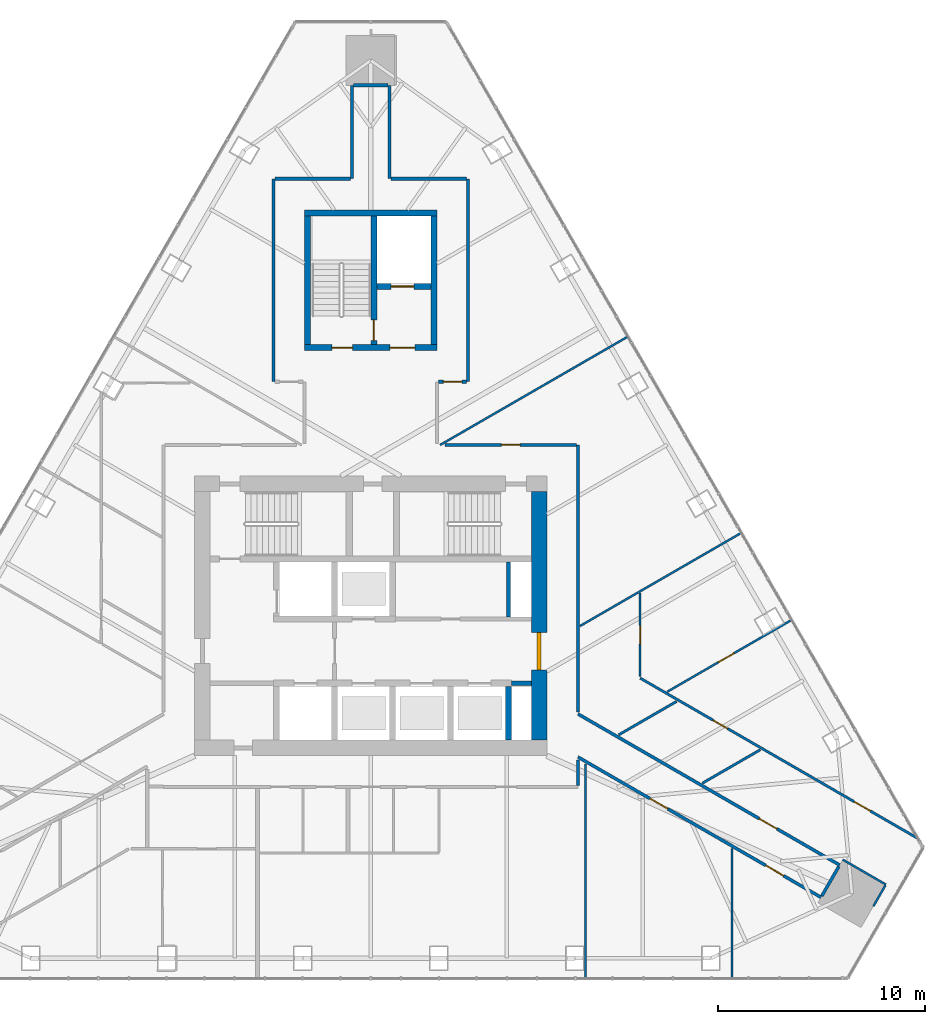
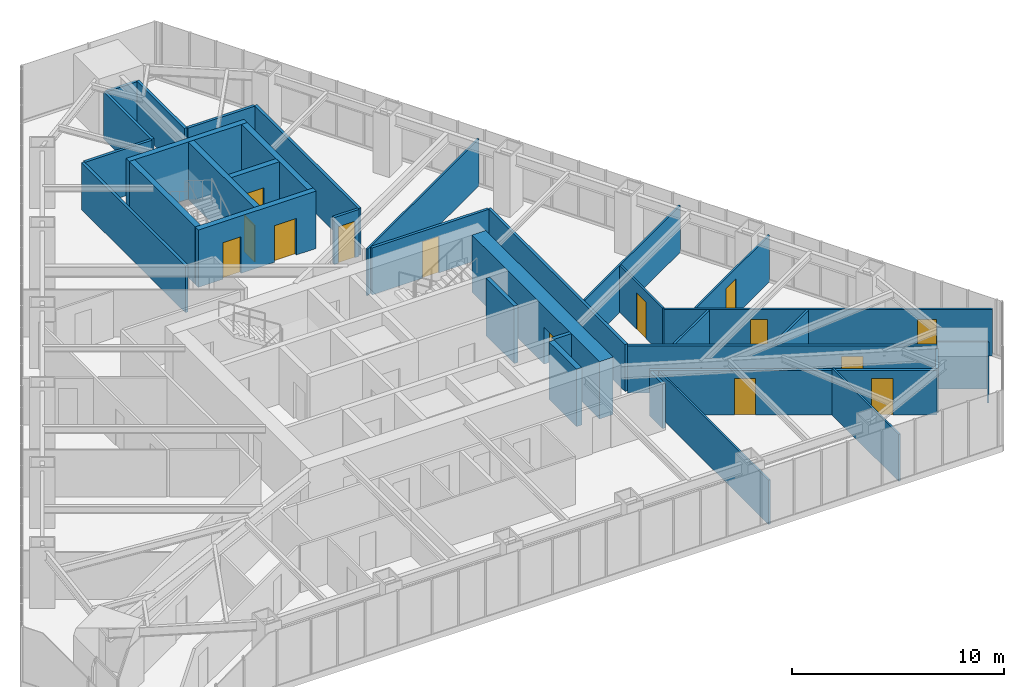
# One storey, part 18 of 21: 35 walls, 14 doors, 14 openings.
"""IFC4 building model written with IfcOpenShell, lengths in metres."""

from ifc_helpers import new_model, si_unit, direction, frame, frame_2d, origin, place, context, subcontext, project, spatial, rectangle, extrude, material, layer, layer_set, type_object, element, fill, save


model = new_model("IFC4")

# Units and contexts
model_context = context("Model", 3, precision=1e-05, world=origin(), true_north=direction((0.0, 1.0)))
body_context = subcontext(model_context, "Body", "Model", "MODEL_VIEW")
ifc_project = project(units=[si_unit("LENGTHUNIT", "METRE"), si_unit("AREAUNIT", "SQUARE_METRE"), si_unit("VOLUMEUNIT", "CUBIC_METRE"), si_unit("PLANEANGLEUNIT", "RADIAN"), si_unit("MASSUNIT", "GRAM", prefix="KILO")], contexts=[model_context])

# Site, building, storey
site_placement = place(None, origin())
site = spatial("IfcSite", under=ifc_project, at=site_placement, CompositionType="ELEMENT")
building_placement = place(site_placement, origin())
building = spatial("IfcBuilding", under=site, at=building_placement, Name="Firuza Gate Tower and Library", CompositionType="ELEMENT")
storey_placement = place(building_placement, frame((0.0, 0.0, 274.10009765625)))
storey = spatial("IfcBuildingStorey", under=building, at=storey_placement, Name="L65", CompositionType="ELEMENT", Elevation=274.10009765625)

# Walls
ifc_material_1 = material(Name="Plasterboard on steel studs", Category="steel")
ifc_layer_1 = layer(ifc_material_1, 0.199951171875)
ifc_layer_set_1 = layer_set([ifc_layer_1], Name="Core partition 200 EI 120")
wall_type_1 = type_object("IfcWallType", Name="Core partition 200 EI 120", PredefinedType="PARTITIONING", material=ifc_layer_set_1)
wall_1_placement = place(storey_placement, frame((81.800048828125, 71.75, 0.0), z_axis=(0.0, 0.0, 1.0), x_axis=(1.0, 0.0, 0.0)))
element("IfcWall", 1, at=wall_1_placement, inside=storey, type_object=wall_type_1, Name="Core partition L65 2", PredefinedType="PARTITIONING", context=body_context, shape_type="SweptSolid", body=[
    extrude(rectangle(XDim=0.949951171875, YDim=0.199951171875, at=frame_2d((0.47509765625, 0.0))), origin(), (0.0, 0.0, 1.0), 3.2998046875),
])
wall_2_placement = place(storey_placement, frame((81.64990234375, 74.949951171875, 0.0), z_axis=(0.0, 0.0, 1.0), x_axis=(0.0, 1.0, 0.0)))
element("IfcWall", 2, at=wall_2_placement, inside=storey, type_object=wall_type_1, Name="Core partition L65 5", PredefinedType="PARTITIONING", context=body_context, shape_type="SweptSolid", body=[
    extrude(rectangle(XDim=2.650146484375, YDim=0.199951171875, at=frame_2d((1.3251953125, 0.0))), origin(), (0.0, 0.0, 1.0), 3.2998046875),
])
ifc_material_2 = material(Name="Concrete C60/75", Category="concrete")
ifc_layer_2 = layer(ifc_material_2, 0.300048828125)
ifc_layer_set_2 = layer_set([ifc_layer_2], Name="Core wall 300 C60/75")
wall_type_2 = type_object("IfcWallType", Name="Core wall 300 C60/75", PredefinedType="SHEAR", material=ifc_layer_set_2)
wall_3_placement = place(storey_placement, frame((81.64990234375, 69.0, 0.0), z_axis=(0.0, 0.0, 1.0), x_axis=(0.0, 1.0, 0.0)))
element("IfcWall", 3, at=wall_3_placement, inside=storey, type_object=wall_type_2, Name="Core wall L65 14", PredefinedType="SHEAR", context=body_context, shape_type="SweptSolid", body=[
    extrude(rectangle(XDim=2.60009765625, YDim=0.300048828125, at=frame_2d((1.300048828125, 0.0))), origin(), (0.0, 0.0, 1.0), 3.2998046875),
])

# Wall, openings, doors
wall_4_placement = place(storey_placement, frame((71.800048828125, 87.949951171875, 0.0), z_axis=(0.0, 0.0, 1.0), x_axis=(1.0, 0.0, 0.0)))
wall_4 = element("IfcWall", 4, at=wall_4_placement, inside=storey, type_object=wall_type_2, Name="Core wall L65 18", PredefinedType="SHEAR", context=body_context, shape_type="SweptSolid", body=[
    extrude(rectangle(XDim=6.39990234375, YDim=0.300048828125, at=frame_2d((3.199951171875, 0.0))), origin(), (0.0, 0.0, 1.0), 3.2998046875),
])
opening_1_placement = place(wall_4_placement, frame((1.324951171875, 0.0, 0.0)))
opening_1 = element("IfcOpeningElement", 5, at=opening_1_placement, cuts=wall_4, Name="Opening L65-K11", PredefinedType="OPENING", context=body_context, shape_type="SweptSolid", body=[
    extrude(rectangle(XDim=1.0, YDim=2.10009765625, at=frame_2d((0.5, 1.050048828125))), frame((0.0, 0.16015625, 0.0), z_axis=(0.0, -1.0, 0.0), x_axis=(1.0, 0.0, 0.0)), (0.0, 0.0, 1.0), 0.320068359375),
])
opening_2_placement = place(wall_4_placement, frame((4.125, 0.0, 0.0)))
opening_2 = element("IfcOpeningElement", 6, at=opening_2_placement, cuts=wall_4, Name="Opening L65-K13", PredefinedType="OPENING", context=body_context, shape_type="SweptSolid", body=[
    extrude(rectangle(XDim=1.199951171875, YDim=2.10009765625, at=frame_2d((0.60009765625, 1.050048828125))), frame((0.0, 0.16015625, 0.0), z_axis=(0.0, -1.0, 0.0), x_axis=(1.0, 0.0, 0.0)), (0.0, 0.0, 1.0), 0.320068359375),
])
ifc_material_3 = material(Name="Steel", Category="steel")
door_type_1 = type_object("IfcDoorType", Name="Fire door 1000x2100 FD90", OperationType="NOTDEFINED", PredefinedType="DOOR", material=ifc_material_3)
door_1_placement = place(opening_1_placement, origin())
door_1 = element("IfcDoor", 7, at=door_1_placement, inside=storey, type_object=door_type_1, Name="Door L65-K11", OperationType="SINGLE_SWING_RIGHT", OverallHeight=2.10009765625, OverallWidth=1.0, PredefinedType="DOOR", context=body_context, shape_type="SweptSolid", body=[
    extrude(rectangle(XDim=1.0, YDim=2.10009765625, at=frame_2d((0.5, 1.050048828125))), frame((0.0, 0.02490234375, 0.0), z_axis=(0.0, -1.0, 0.0), x_axis=(1.0, 0.0, 0.0)), (0.0, 0.0, 1.0), 0.050048828125),
])
fill(opening_1, door_1)
ifc_material_4 = material(Name="Steel", Category="steel")
door_type_2 = type_object("IfcDoorType", Name="Fire door 1200x2100 FD30S", OperationType="NOTDEFINED", PredefinedType="DOOR", material=ifc_material_4)
door_2_placement = place(opening_2_placement, origin())
door_2 = element("IfcDoor", 8, at=door_2_placement, inside=storey, type_object=door_type_2, Name="Door L65-K13", OperationType="SINGLE_SWING_RIGHT", OverallHeight=2.10009765625, OverallWidth=1.199951171875, PredefinedType="DOOR", context=body_context, shape_type="SweptSolid", body=[
    extrude(rectangle(XDim=1.199951171875, YDim=2.10009765625, at=frame_2d((0.60009765625, 1.050048828125))), frame((0.0, 0.02490234375, 0.0), z_axis=(0.0, -1.0, 0.0), x_axis=(1.0, 0.0, 0.0)), (0.0, 0.0, 1.0), 0.050048828125),
])
fill(opening_2, door_2)

# Walls
wall_5_placement = place(storey_placement, frame((71.800048828125, 94.449951171875, 0.0), z_axis=(0.0, 0.0, 1.0), x_axis=(1.0, 0.0, 0.0)))
element("IfcWall", 9, at=wall_5_placement, inside=storey, type_object=wall_type_2, Name="Core wall L65 19", PredefinedType="SHEAR", context=body_context, shape_type="SweptSolid", body=[
    extrude(rectangle(XDim=6.39990234375, YDim=0.300048828125, at=frame_2d((3.199951171875, 0.0))), origin(), (0.0, 0.0, 1.0), 3.2998046875),
])
for number, where, z_axis, x_axis, name in (
    (10, (71.949951171875, 88.10009765625, 0.0), (0.0, 0.0, 1.0), (0.0, 1.0, 0.0), "Core wall L65 20"),
    (11, (78.050048828125, 88.10009765625, 0.0), (0.0, 0.0, 1.0), (0.0, 1.0, 0.0), "Core wall L65 21"),
):
    element("IfcWall", number, at=place(storey_placement, frame(where, z_axis=z_axis, x_axis=x_axis)), inside=storey, type_object=wall_type_2, Name=name, PredefinedType="SHEAR", context=body_context, shape_type="SweptSolid", body=[
        extrude(rectangle(XDim=6.199951171875, YDim=0.300048828125, at=frame_2d((3.10009765625, 0.0))), origin(), (0.0, 0.0, 1.0), 3.2998046875),
    ])

# Wall, opening, door
wall_6_placement = place(storey_placement, frame((75.300048828125, 90.89990234375, 0.0), z_axis=(0.0, 0.0, 1.0), x_axis=(1.0, 0.0, 0.0)))
wall_6 = element("IfcWall", 12, at=wall_6_placement, inside=storey, type_object=wall_type_2, Name="Core wall L65 22", PredefinedType="SHEAR", context=body_context, shape_type="SweptSolid", body=[
    extrude(rectangle(XDim=2.599853515625, YDim=0.300048828125, at=frame_2d((1.2998046875, 0.0))), origin(), (0.0, 0.0, 1.0), 3.2998046875),
])
opening_3_placement = place(wall_6_placement, frame((0.675048828125, 0.0, 0.0)))
opening_3 = element("IfcOpeningElement", 13, at=opening_3_placement, cuts=wall_6, Name="Opening LD-SV1-L65", PredefinedType="OPENING", context=body_context, shape_type="SweptSolid", body=[
    extrude(rectangle(XDim=1.10009765625, YDim=2.10009765625, at=frame_2d((0.550048828125, 1.050048828125))), frame((0.0, 0.16015625, 0.0), z_axis=(0.0, -1.0, 0.0), x_axis=(1.0, 0.0, 0.0)), (0.0, 0.0, 1.0), 0.320068359375),
])
ifc_material_5 = material(Name="Stainless steel", Category="steel")
door_type_3 = type_object("IfcDoorType", Name="Lift landing door 1100x2100", OperationType="DOUBLE_DOOR_SLIDING", PredefinedType="DOOR", material=ifc_material_5)
door_3_placement = place(opening_3_placement, origin())
door_3 = element("IfcDoor", 14, at=door_3_placement, inside=storey, type_object=door_type_3, Name="Landing door SV1 L65", OperationType="DOUBLE_DOOR_SLIDING", OverallHeight=2.10009765625, OverallWidth=1.10009765625, PredefinedType="DOOR", context=body_context, shape_type="SweptSolid", body=[
    extrude(rectangle(XDim=1.10009765625, YDim=2.10009765625, at=frame_2d((0.550048828125, 1.050048828125))), frame((0.0, 0.02490234375, 0.0), z_axis=(0.0, -1.0, 0.0), x_axis=(1.0, 0.0, 0.0)), (0.0, 0.0, 1.0), 0.050048828125),
])
fill(opening_3, door_3)

wall_7_placement = place(storey_placement, frame((75.14990234375, 88.10009765625, 0.0), z_axis=(0.0, 0.0, 1.0), x_axis=(0.0, 1.0, 0.0)))
wall_7 = element("IfcWall", 15, at=wall_7_placement, inside=storey, type_object=wall_type_2, Name="Core wall L65 23", PredefinedType="SHEAR", context=body_context, shape_type="SweptSolid", body=[
    extrude(rectangle(XDim=6.199951171875, YDim=0.300048828125, at=frame_2d((3.10009765625, 0.0))), origin(), (0.0, 0.0, 1.0), 3.2998046875),
])
opening_4_placement = place(wall_7_placement, frame((0.18505859375, 0.0, 0.0)))
opening_4 = element("IfcOpeningElement", 16, at=opening_4_placement, cuts=wall_7, Name="Opening L65-K12", PredefinedType="OPENING", context=body_context, shape_type="SweptSolid", body=[
    extrude(rectangle(XDim=1.0, YDim=2.10009765625, at=frame_2d((0.5, 1.050048828125))), frame((0.0, 0.16015625, 0.0), z_axis=(0.0, -1.0, 0.0), x_axis=(1.0, 0.0, 0.0)), (0.0, 0.0, 1.0), 0.320068359375),
])
door_4_placement = place(opening_4_placement, origin())
door_4 = element("IfcDoor", 17, at=door_4_placement, inside=storey, type_object=door_type_1, Name="Door L65-K12", OperationType="SINGLE_SWING_LEFT", OverallHeight=2.10009765625, OverallWidth=1.0, PredefinedType="DOOR", context=body_context, shape_type="SweptSolid", body=[
    extrude(rectangle(XDim=1.0, YDim=2.10009765625, at=frame_2d((0.5, 1.050048828125))), frame((0.0, 0.02490234375, 0.0), z_axis=(0.0, -1.0, 0.0), x_axis=(1.0, 0.0, 0.0)), (0.0, 0.0, 1.0), 0.050048828125),
])
fill(opening_4, door_4)

ifc_material_6 = material(Name="Concrete C60/75", Category="concrete")
ifc_layer_3 = layer(ifc_material_6, 0.75)
ifc_layer_set_3 = layer_set([ifc_layer_3], Name="Core wall 750 C60/75")
wall_type_3 = type_object("IfcWallType", Name="Core wall 750 C60/75", PredefinedType="SHEAR", material=ifc_layer_set_3)
wall_8_placement = place(storey_placement, frame((83.125, 69.0, 0.0), z_axis=(0.0, 0.0, 1.0), x_axis=(0.0, 1.0, 0.0)))
wall_8 = element("IfcWall", 18, at=wall_8_placement, inside=storey, type_object=wall_type_3, Name="Core wall L65 4", PredefinedType="SHEAR", context=body_context, shape_type="SweptSolid", body=[
    extrude(rectangle(XDim=12.0, YDim=0.75, at=frame_2d((6.0, 0.0))), origin(), (0.0, 0.0, 1.0), 3.2998046875),
])
opening_5_placement = place(wall_8_placement, frame((3.39990234375, 0.0, 0.0)))
opening_5 = element("IfcOpeningElement", 19, at=opening_5_placement, cuts=wall_8, Name="Opening L65-K16", PredefinedType="OPENING", context=body_context, shape_type="SweptSolid", body=[
    extrude(rectangle(XDim=1.800048828125, YDim=2.10009765625, at=frame_2d((0.89990234375, 1.050048828125))), frame((0.0, 0.385009765625, 0.0), z_axis=(0.0, -1.0, 0.0), x_axis=(1.0, 0.0, 0.0)), (0.0, 0.0, 1.0), 0.77001953125),
])
ifc_material_7 = material(Name="Steel", Category="steel")
door_type_4 = type_object("IfcDoorType", Name="Fire door 1800x2100 FD30S", OperationType="NOTDEFINED", PredefinedType="DOOR", material=ifc_material_7)
door_5_placement = place(opening_5_placement, origin())
door_5 = element("IfcDoor", 20, at=door_5_placement, inside=storey, type_object=door_type_4, Name="Door L65-K16", OperationType="SINGLE_SWING_LEFT", OverallHeight=2.10009765625, OverallWidth=1.800048828125, PredefinedType="DOOR", context=body_context, shape_type="SweptSolid", body=[
    extrude(rectangle(XDim=1.800048828125, YDim=2.10009765625, at=frame_2d((0.89990234375, 1.050048828125))), frame((0.0, 0.094970703125, 0.0), z_axis=(0.0, -1.0, 0.0), x_axis=(1.0, 0.0, 0.0)), (0.0, 0.0, 1.0), 0.18994140625),
])
fill(opening_5, door_5)

ifc_material_8 = material(Name="Gypsum board partition")
ifc_layer_4 = layer(ifc_material_8, 0.14990234375)
ifc_layer_set_4 = layer_set([ifc_layer_4], Name="Corridor wall 150 double board on steel studs")
wall_type_4 = type_object("IfcWallType", Name="Corridor wall 150 double board on steel studs", PredefinedType="PARTITIONING", material=ifc_layer_set_4)
wall_9_placement = place(storey_placement, frame((84.924560546875, 83.25, 0.0), z_axis=(0.0, 0.0, 1.0), x_axis=(-1.0, 0.0, 0.0)))
wall_9 = element("IfcWall", 21, at=wall_9_placement, inside=storey, type_object=wall_type_4, Name="f:L65:w007", PredefinedType="PARTITIONING", context=body_context, shape_type="SweptSolid", body=[
    extrude(rectangle(XDim=6.344482421875, YDim=0.14990234375, at=frame_2d((3.17236328125, 0.0))), origin(), (0.0, 0.0, 1.0), 2.699951171875),
])
opening_6_placement = place(wall_9_placement, frame((2.72216796875, 0.0, 0.0)))
opening_6 = element("IfcOpeningElement", 22, at=opening_6_placement, cuts=wall_9, Name="Opening L65-08", PredefinedType="OPENING", context=body_context, shape_type="SweptSolid", body=[
    extrude(rectangle(XDim=0.89990234375, YDim=2.10009765625, at=frame_2d((0.449951171875, 1.050048828125))), frame((0.0, 0.0849609375, 0.0), z_axis=(0.0, -1.0, 0.0), x_axis=(1.0, 0.0, 0.0)), (0.0, 0.0, 1.0), 0.169921875),
])
ifc_material_9 = material(Name="Steel door and timber leaf", Category="steel")
door_type_5 = type_object("IfcDoorType", Name="Fire door 900 x 2100 steel frame, timber leaf", OperationType="NOTDEFINED", PredefinedType="DOOR", material=ifc_material_9)
door_6_placement = place(opening_6_placement, origin())
door_6 = element("IfcDoor", 23, at=door_6_placement, inside=storey, type_object=door_type_5, Name="f:L65:d008", OperationType="SINGLE_SWING_LEFT", OverallHeight=2.10009765625, OverallWidth=0.89990234375, PredefinedType="DOOR", context=body_context, shape_type="SweptSolid", body=[
    extrude(rectangle(XDim=0.89990234375, YDim=2.10009765625, at=frame_2d((0.449951171875, 1.050048828125))), frame((0.0, 0.02490234375, 0.0), z_axis=(0.0, -1.0, 0.0), x_axis=(1.0, 0.0, 0.0)), (0.0, 0.0, 1.0), 0.050048828125),
])
fill(opening_6, door_6)

wall_10_placement = place(storey_placement, frame((78.275146484375, 86.300048828125, 0.0), z_axis=(0.0, 0.0, 1.0), x_axis=(1.0, 0.0, 0.0)))
wall_10 = element("IfcWall", 24, at=wall_10_placement, inside=storey, type_object=wall_type_4, Name="f:L65:w010", PredefinedType="PARTITIONING", context=body_context, shape_type="SweptSolid", body=[
    extrude(rectangle(XDim=1.347900390625, YDim=0.14990234375, at=frame_2d((0.673828125, 0.0))), origin(), (0.0, 0.0, 1.0), 2.699951171875),
])
opening_7_placement = place(wall_10_placement, frame((0.223876953125, 0.0, 0.0)))
opening_7 = element("IfcOpeningElement", 25, at=opening_7_placement, cuts=wall_10, Name="Opening L65-11", PredefinedType="OPENING", context=body_context, shape_type="SweptSolid", body=[
    extrude(rectangle(XDim=0.89990234375, YDim=2.10009765625, at=frame_2d((0.449951171875, 1.050048828125))), frame((0.0, 0.0849609375, 0.0), z_axis=(0.0, -1.0, 0.0), x_axis=(1.0, 0.0, 0.0)), (0.0, 0.0, 1.0), 0.169921875),
])
door_7_placement = place(opening_7_placement, origin())
door_7 = element("IfcDoor", 26, at=door_7_placement, inside=storey, type_object=door_type_5, Name="f:L65:d011", OperationType="SINGLE_SWING_LEFT", OverallHeight=2.10009765625, OverallWidth=0.89990234375, PredefinedType="DOOR", context=body_context, shape_type="SweptSolid", body=[
    extrude(rectangle(XDim=0.89990234375, YDim=2.10009765625, at=frame_2d((0.449951171875, 1.050048828125))), frame((0.0, 0.02490234375, 0.0), z_axis=(0.0, -1.0, 0.0), x_axis=(1.0, 0.0, 0.0)), (0.0, 0.0, 1.0), 0.050048828125),
])
fill(opening_7, door_7)

# Walls
for number, where, z_axis, x_axis, name in (
    (27, (70.376953125, 96.10009765625, 0.0), (0.0, 0.0, 1.0), (1.0, 0.0, 0.0), "f:L65:w011"),
    (28, (75.97509765625, 96.10009765625, 0.0), (0.0, 0.0, 1.0), (1.0, 0.0, 0.0), "f:L65:w012"),
):
    element("IfcWall", number, at=place(storey_placement, frame(where, z_axis=z_axis, x_axis=x_axis)), inside=storey, type_object=wall_type_4, Name=name, PredefinedType="PARTITIONING", context=body_context, shape_type="SweptSolid", body=[
        extrude(rectangle(XDim=3.64794921875, YDim=0.14990234375, at=frame_2d((1.823974609375, 0.0))), origin(), (0.0, 0.0, 1.0), 2.699951171875),
    ])
wall_11_placement = place(storey_placement, frame((74.175537109375, 100.612060546875, 0.0), z_axis=(0.0, 0.0, 1.0), x_axis=(1.0, 0.0, 0.0)))
element("IfcWall", 29, at=wall_11_placement, inside=storey, type_object=wall_type_4, Name="f:L65:w013", PredefinedType="PARTITIONING", context=body_context, shape_type="SweptSolid", body=[
    extrude(rectangle(XDim=1.642578125, YDim=0.14990234375, at=frame_2d((0.8212890625, 0.0))), origin(), (0.0, 0.0, 1.0), 2.697021484375),
])
wall_12_placement = place(storey_placement, frame((96.7685546875, 61.47998046875, 0.0), z_axis=(0.0, 0.0, 1.0), x_axis=(0.500035172766, 0.866005095826, 0.0)))
element("IfcWall", 30, at=wall_12_placement, inside=storey, type_object=wall_type_4, Name="f:L65:w026", PredefinedType="PARTITIONING", context=body_context, shape_type="SweptSolid", body=[
    extrude(rectangle(XDim=1.64453125, YDim=0.14990234375, at=frame_2d((0.822265625, 0.0))), origin(), (0.0, 0.0, 1.0), 2.546875),
])
wall_13_placement = place(storey_placement, frame((85.0, 66.825439453125, 0.0), z_axis=(0.0, 0.0, 1.0), x_axis=(0.0, 1.0, 0.0)))
element("IfcWall", 31, at=wall_13_placement, inside=storey, type_object=wall_type_4, Name="f:L65:w031", PredefinedType="PARTITIONING", context=body_context, shape_type="SweptSolid", body=[
    extrude(rectangle(XDim=1.22509765625, YDim=0.14990234375, at=frame_2d((0.612548828125, 0.0))), origin(), (0.0, 0.0, 1.0), 2.546875),
])
wall_14_placement = place(storey_placement, frame((85.0, 70.352294921875, 0.0), z_axis=(0.0, 0.0, 1.0), x_axis=(0.0, 1.0, 0.0)))
element("IfcWall", 32, at=wall_14_placement, inside=storey, type_object=wall_type_4, Name="f:L65:w032", PredefinedType="PARTITIONING", context=body_context, shape_type="SweptSolid", body=[
    extrude(rectangle(XDim=12.897216796875, YDim=0.14990234375, at=frame_2d((6.44873046875, 0.0))), origin(), (0.0, 0.0, 1.0), 2.699951171875),
])
wall_15_placement = place(storey_placement, frame((79.699951171875, 86.302001953125, 0.0), z_axis=(0.0, 0.0, 1.0), x_axis=(0.0, 1.0, 0.0)))
element("IfcWall", 33, at=wall_15_placement, inside=storey, type_object=wall_type_4, Name="f:L65:w033", PredefinedType="PARTITIONING", context=body_context, shape_type="SweptSolid", body=[
    extrude(rectangle(XDim=9.7958984375, YDim=0.14990234375, at=frame_2d((4.89794921875, 0.0))), origin(), (0.0, 0.0, 1.0), 2.699951171875),
])
wall_16_placement = place(storey_placement, frame((75.89990234375, 96.10009765625, 0.0), z_axis=(0.0, 0.0, 1.0), x_axis=(0.0, 1.0, 0.0)))
element("IfcWall", 34, at=wall_16_placement, inside=storey, type_object=wall_type_4, Name="f:L65:w038", PredefinedType="PARTITIONING", context=body_context, shape_type="SweptSolid", body=[
    extrude(rectangle(XDim=4.51171875, YDim=0.14990234375, at=frame_2d((2.255859375, 0.0))), origin(), (0.0, 0.0, 1.0), 2.699951171875),
])
wall_17_placement = place(storey_placement, frame((74.10009765625, 96.10009765625, 0.0), z_axis=(0.0, 0.0, 1.0), x_axis=(0.0, 1.0, 0.0)))
element("IfcWall", 35, at=wall_17_placement, inside=storey, type_object=wall_type_4, Name="f:L65:w040", PredefinedType="PARTITIONING", context=body_context, shape_type="SweptSolid", body=[
    extrude(rectangle(XDim=4.51123046875, YDim=0.14990234375, at=frame_2d((2.255615234375, 0.0))), origin(), (0.0, 0.0, 1.0), 2.699951171875),
])
wall_18_placement = place(storey_placement, frame((70.300048828125, 86.302001953125, 0.0), z_axis=(0.0, 0.0, 1.0), x_axis=(0.0, 1.0, 0.0)))
element("IfcWall", 36, at=wall_18_placement, inside=storey, type_object=wall_type_4, Name="f:L65:w044", PredefinedType="PARTITIONING", context=body_context, shape_type="SweptSolid", body=[
    extrude(rectangle(XDim=9.7958984375, YDim=0.14990234375, at=frame_2d((4.89794921875, 0.0))), origin(), (0.0, 0.0, 1.0), 2.699951171875),
])

# Wall, opening, door
wall_19_placement = place(storey_placement, frame((85.0, 70.265869140625, 0.0), z_axis=(0.0, 0.0, 1.0), x_axis=(0.866026970734, -0.499997285954, 0.0)))
wall_19 = element("IfcWall", 37, at=wall_19_placement, inside=storey, type_object=wall_type_4, Name="f:L65:w058", PredefinedType="PARTITIONING", context=body_context, shape_type="SweptSolid", body=[
    extrude(rectangle(XDim=14.58447265625, YDim=0.14990234375, at=frame_2d((7.292236328125, 0.0))), origin(), (0.0, 0.0, 1.0), 2.699951171875),
])
opening_8_placement = place(wall_19_placement, frame((10.09423828125, 0.0, 0.0)))
opening_8 = element("IfcOpeningElement", 38, at=opening_8_placement, cuts=wall_19, Name="Opening L65-24", PredefinedType="OPENING", context=body_context, shape_type="SweptSolid", body=[
    extrude(rectangle(XDim=1.0, YDim=2.10009765625, at=frame_2d((0.5, 1.050048828125))), frame((0.0, 0.0849609375, 0.0), z_axis=(0.0, -1.0, 0.0), x_axis=(1.0, 0.0, 0.0)), (0.0, 0.0, 1.0), 0.169921875),
])
ifc_material_10 = material(Name="Steel door and timber leaf", Category="steel")
door_type_6 = type_object("IfcDoorType", Name="Fire door 1000 x 2100 steel frame, timber leaf", OperationType="NOTDEFINED", PredefinedType="DOOR", material=ifc_material_10)
door_8_placement = place(opening_8_placement, origin())
door_8 = element("IfcDoor", 39, at=door_8_placement, inside=storey, type_object=door_type_6, Name="f:L65:d024", OperationType="SINGLE_SWING_LEFT", OverallHeight=2.10009765625, OverallWidth=1.0, PredefinedType="DOOR", context=body_context, shape_type="SweptSolid", body=[
    extrude(rectangle(XDim=1.0, YDim=2.10009765625, at=frame_2d((0.5, 1.050048828125))), frame((0.0, 0.02490234375, 0.0), z_axis=(0.0, -1.0, 0.0), x_axis=(1.0, 0.0, 0.0)), (0.0, 0.0, 1.0), 0.050048828125),
])
fill(opening_8, door_8)

# Wall, openings, doors
wall_20_placement = place(storey_placement, frame((96.730224609375, 61.4150390625, 0.0), z_axis=(0.0, 0.0, 1.0), x_axis=(-0.866032805753, 0.499987179195, 0.0)))
wall_20 = element("IfcWall", 40, at=wall_20_placement, inside=storey, type_object=wall_type_4, Name="f:L65:w059", PredefinedType="PARTITIONING", context=body_context, shape_type="SweptSolid", body=[
    extrude(rectangle(XDim=13.544677734375, YDim=0.14990234375, at=frame_2d((6.7724609375, 0.0))), origin(), (0.0, 0.0, 1.0), 2.546875),
])
opening_9_placement = place(wall_20_placement, frame((2.078369140625, 0.0, 0.0)))
opening_9 = element("IfcOpeningElement", 41, at=opening_9_placement, cuts=wall_20, Name="Opening L65-25", PredefinedType="OPENING", context=body_context, shape_type="SweptSolid", body=[
    extrude(rectangle(XDim=1.0, YDim=2.10009765625, at=frame_2d((0.5, 1.050048828125))), frame((0.0, 0.0849609375, 0.0), z_axis=(0.0, -1.0, 0.0), x_axis=(1.0, 0.0, 0.0)), (0.0, 0.0, 1.0), 0.169921875),
])
opening_10_placement = place(wall_20_placement, frame((8.540283203125, 0.0, 0.0)))
opening_10 = element("IfcOpeningElement", 42, at=opening_10_placement, cuts=wall_20, Name="Opening L65-26", PredefinedType="OPENING", context=body_context, shape_type="SweptSolid", body=[
    extrude(rectangle(XDim=1.0, YDim=2.10009765625, at=frame_2d((0.5, 1.050048828125))), frame((0.0, 0.0849609375, 0.0), z_axis=(0.0, -1.0, 0.0), x_axis=(1.0, 0.0, 0.0)), (0.0, 0.0, 1.0), 0.169921875),
])
door_9_placement = place(opening_9_placement, origin())
door_9 = element("IfcDoor", 43, at=door_9_placement, inside=storey, type_object=door_type_6, Name="f:L65:d025", OperationType="SINGLE_SWING_RIGHT", OverallHeight=2.10009765625, OverallWidth=1.0, PredefinedType="DOOR", context=body_context, shape_type="SweptSolid", body=[
    extrude(rectangle(XDim=1.0, YDim=2.10009765625, at=frame_2d((0.5, 1.050048828125))), frame((0.0, 0.02490234375, 0.0), z_axis=(0.0, -1.0, 0.0), x_axis=(1.0, 0.0, 0.0)), (0.0, 0.0, 1.0), 0.050048828125),
])
fill(opening_9, door_9)
door_10_placement = place(opening_10_placement, origin())
door_10 = element("IfcDoor", 44, at=door_10_placement, inside=storey, type_object=door_type_6, Name="f:L65:d026", OperationType="SINGLE_SWING_LEFT", OverallHeight=2.10009765625, OverallWidth=1.0, PredefinedType="DOOR", context=body_context, shape_type="SweptSolid", body=[
    extrude(rectangle(XDim=1.0, YDim=2.10009765625, at=frame_2d((0.5, 1.050048828125))), frame((0.0, 0.02490234375, 0.0), z_axis=(0.0, -1.0, 0.0), x_axis=(1.0, 0.0, 0.0)), (0.0, 0.0, 1.0), 0.050048828125),
])
fill(opening_10, door_10)

# Wall, opening, door
ifc_material_11 = material(Name="Gypsum board partition")
ifc_layer_5 = layer(ifc_material_11, 0.10009765625)
ifc_layer_set_5 = layer_set([ifc_layer_5], Name="Partition 100 gypsum board on steel studs")
wall_type_5 = type_object("IfcWallType", Name="Partition 100 gypsum board on steel studs", PredefinedType="PARTITIONING", material=ifc_layer_set_5)
wall_21_placement = place(storey_placement, frame((89.310791015625, 71.340087890625, 0.0), z_axis=(0.0, 0.0, 1.0), x_axis=(0.866013442838, 0.500020716395, 0.0)))
wall_21 = element("IfcWall", 45, at=wall_21_placement, inside=storey, type_object=wall_type_5, Name="f:L65:w017", PredefinedType="PARTITIONING", context=body_context, shape_type="SweptSolid", body=[
    extrude(rectangle(XDim=6.920166015625, YDim=0.10009765625, at=frame_2d((3.4599609375, 0.0))), origin(), (0.0, 0.0, 1.0), 2.68798828125),
])
opening_11_placement = place(wall_21_placement, frame((2.830078125, 0.0, 0.0)))
opening_11 = element("IfcOpeningElement", 46, at=opening_11_placement, cuts=wall_21, Name="Opening L65-12", PredefinedType="OPENING", context=body_context, shape_type="SweptSolid", body=[
    extrude(rectangle(XDim=0.89990234375, YDim=2.10009765625, at=frame_2d((0.449951171875, 1.050048828125))), frame((0.0, 0.06005859375, 0.0), z_axis=(0.0, -1.0, 0.0), x_axis=(1.0, 0.0, 0.0)), (0.0, 0.0, 1.0), 0.1201171875),
])
ifc_material_12 = material(Name="Timber door", Category="wood")
door_type_7 = type_object("IfcDoorType", Name="Door 900 x 2100 timber leaf", OperationType="NOTDEFINED", PredefinedType="DOOR", material=ifc_material_12)
door_11_placement = place(opening_11_placement, origin())
door_11 = element("IfcDoor", 47, at=door_11_placement, inside=storey, type_object=door_type_7, Name="f:L65:d012", OperationType="SINGLE_SWING_LEFT", OverallHeight=2.10009765625, OverallWidth=0.89990234375, PredefinedType="DOOR", context=body_context, shape_type="SweptSolid", body=[
    extrude(rectangle(XDim=0.89990234375, YDim=2.10009765625, at=frame_2d((0.449951171875, 1.050048828125))), frame((0.0, 0.02490234375, 0.0), z_axis=(0.0, -1.0, 0.0), x_axis=(1.0, 0.0, 0.0)), (0.0, 0.0, 1.0), 0.050048828125),
])
fill(opening_11, door_11)

# Walls
wall_22_placement = place(storey_placement, frame((85.100830078125, 74.514404296875, 0.0), z_axis=(0.0, 0.0, 1.0), x_axis=(0.866020765707, 0.500008033299, 0.0)))
element("IfcWall", 48, at=wall_22_placement, inside=storey, type_object=wall_type_5, Name="f:L65:w018", PredefinedType="PARTITIONING", context=body_context, shape_type="SweptSolid", body=[
    extrude(rectangle(XDim=8.978759765625, YDim=0.10009765625, at=frame_2d((4.4892578125, 0.0))), origin(), (0.0, 0.0, 1.0), 2.68798828125),
])
wall_23_placement = place(storey_placement, frame((78.34716796875, 83.25, 0.0), z_axis=(0.0, 0.0, 1.0), x_axis=(0.866025448133, 0.499999923186, 0.0)))
element("IfcWall", 49, at=wall_23_placement, inside=storey, type_object=wall_type_5, Name="f:L65:w024", PredefinedType="PARTITIONING", context=body_context, shape_type="SweptSolid", body=[
    extrude(rectangle(XDim=10.4599609375, YDim=0.10009765625, at=frame_2d((5.22998046875, 0.0))), origin(), (0.0, 0.0, 1.0), 2.68798828125),
])
wall_24_placement = place(storey_placement, frame((99.25927734375, 60.993896484375, 0.0), z_axis=(0.0, 0.0, 1.0), x_axis=(0.499906209203, 0.866079547155, 0.0)))
element("IfcWall", 50, at=wall_24_placement, inside=storey, type_object=wall_type_5, Name="f:L65:w025", PredefinedType="PARTITIONING", context=body_context, shape_type="SweptSolid", body=[
    extrude(rectangle(XDim=1.150146484375, YDim=0.10009765625, at=frame_2d((0.5751953125, 0.0))), origin(), (0.0, 0.0, 1.0), 2.699951171875),
])
wall_25_placement = place(storey_placement, frame((92.43994140625, 57.516357421875, 0.0), z_axis=(0.0, 0.0, 1.0), x_axis=(0.0, 1.0, 0.0)))
element("IfcWall", 51, at=wall_25_placement, inside=storey, type_object=wall_type_5, Name="f:L65:w028", PredefinedType="PARTITIONING", context=body_context, shape_type="SweptSolid", body=[
    extrude(rectangle(XDim=6.2587890625, YDim=0.10009765625, at=frame_2d((3.12939453125, 0.0))), origin(), (0.0, 0.0, 1.0), 2.699951171875),
])

# Wall, opening, door
wall_26_placement = place(storey_placement, frame((88.0, 72.067138671875, 0.0), z_axis=(0.0, 0.0, 1.0), x_axis=(0.0, 1.0, 0.0)))
wall_26 = element("IfcWall", 52, at=wall_26_placement, inside=storey, type_object=wall_type_5, Name="f:L65:w029", PredefinedType="PARTITIONING", context=body_context, shape_type="SweptSolid", body=[
    extrude(rectangle(XDim=4.033203125, YDim=0.10009765625, at=frame_2d((2.0166015625, 0.0))), origin(), (0.0, 0.0, 1.0), 2.699951171875),
])
opening_12_placement = place(wall_26_placement, frame((1.566650390625, 0.0, 0.0)))
opening_12 = element("IfcOpeningElement", 53, at=opening_12_placement, cuts=wall_26, Name="Opening L65-18", PredefinedType="OPENING", context=body_context, shape_type="SweptSolid", body=[
    extrude(rectangle(XDim=0.89990234375, YDim=2.10009765625, at=frame_2d((0.449951171875, 1.050048828125))), frame((0.0, 0.06005859375, 0.0), z_axis=(0.0, -1.0, 0.0), x_axis=(1.0, 0.0, 0.0)), (0.0, 0.0, 1.0), 0.1201171875),
])
door_12_placement = place(opening_12_placement, origin())
door_12 = element("IfcDoor", 54, at=door_12_placement, inside=storey, type_object=door_type_7, Name="f:L65:d018", OperationType="SINGLE_SWING_LEFT", OverallHeight=2.10009765625, OverallWidth=0.89990234375, PredefinedType="DOOR", context=body_context, shape_type="SweptSolid", body=[
    extrude(rectangle(XDim=0.89990234375, YDim=2.10009765625, at=frame_2d((0.449951171875, 1.050048828125))), frame((0.0, 0.02490234375, 0.0), z_axis=(0.0, -1.0, 0.0), x_axis=(1.0, 0.0, 0.0)), (0.0, 0.0, 1.0), 0.050048828125),
])
fill(opening_12, door_12)

# Walls
wall_27_placement = place(storey_placement, frame((85.361083984375, 57.516357421875, 0.0), z_axis=(0.0, 0.0, 1.0), x_axis=(0.0, 1.0, 0.0)))
element("IfcWall", 55, at=wall_27_placement, inside=storey, type_object=wall_type_5, Name="f:L65:w030", PredefinedType="PARTITIONING", context=body_context, shape_type="SweptSolid", body=[
    extrude(rectangle(XDim=10.345703125, YDim=0.10009765625, at=frame_2d((5.1728515625, 0.0))), origin(), (0.0, 0.0, 1.0), 2.546875),
])
wall_28_placement = place(storey_placement, frame((99.859130859375, 62.033447265625, 0.0), z_axis=(0.0, 0.0, 1.0), x_axis=(-0.866050077142, 0.499957262057, 0.0)))
element("IfcWall", 56, at=wall_28_placement, inside=storey, type_object=wall_type_5, Name="f:L65:w057", PredefinedType="PARTITIONING", context=body_context, shape_type="SweptSolid", body=[
    extrude(rectangle(XDim=2.400146484375, YDim=0.10009765625, at=frame_2d((1.2001953125, 0.0))), origin(), (0.0, 0.0, 1.0), 2.699951171875),
])
ifc_material_13 = material(Name="Gypsum board partition")
ifc_layer_6 = layer(ifc_material_13, 0.1201171875)
ifc_layer_set_6 = layer_set([ifc_layer_6], Name="Wet-area partition 120 moisture-resistant board")
wall_type_6 = type_object("IfcWallType", Name="Wet-area partition 120 moisture-resistant board", PredefinedType="PARTITIONING", material=ifc_layer_set_6)
wall_29_placement = place(storey_placement, frame((91.004638671875, 66.925537109375, 0.0), z_axis=(0.0, 0.0, 1.0), x_axis=(0.866000447062, 0.500043223821, 0.0)))
element("IfcWall", 57, at=wall_29_placement, inside=storey, type_object=wall_type_6, Name="f:L65:w015", PredefinedType="PARTITIONING", context=body_context, shape_type="SweptSolid", body=[
    extrude(rectangle(XDim=3.228271484375, YDim=0.1201171875, at=frame_2d((1.6142578125, 0.0))), origin(), (0.0, 0.0, 1.0), 2.699951171875),
])
wall_30_placement = place(storey_placement, frame((86.96337890625, 69.258544921875, 0.0), z_axis=(0.0, 0.0, 1.0), x_axis=(0.866033195618, 0.499986503906, 0.0)))
element("IfcWall", 58, at=wall_30_placement, inside=storey, type_object=wall_type_6, Name="f:L65:w016", PredefinedType="PARTITIONING", context=body_context, shape_type="SweptSolid", body=[
    extrude(rectangle(XDim=3.22802734375, YDim=0.1201171875, at=frame_2d((1.614013671875, 0.0))), origin(), (0.0, 0.0, 1.0), 2.699951171875),
])

# Wall, openings, doors
wall_31_placement = place(storey_placement, frame((101.382568359375, 64.271484375, 0.0), z_axis=(0.0, 0.0, 1.0), x_axis=(-0.86602851656, 0.499994608475, 0.0)))
wall_31 = element("IfcWall", 59, at=wall_31_placement, inside=storey, type_object=wall_type_6, Name="f:L65:w055", PredefinedType="PARTITIONING", context=body_context, shape_type="SweptSolid", body=[
    extrude(rectangle(XDim=15.452880859375, YDim=0.1201171875, at=frame_2d((7.7265625, 0.0))), origin(), (0.0, 0.0, 1.0), 2.699951171875),
])
opening_13_placement = place(wall_31_placement, frame((2.625732421875, 0.0, 0.0)))
opening_13 = element("IfcOpeningElement", 60, at=opening_13_placement, cuts=wall_31, Name="Opening L65-22", PredefinedType="OPENING", context=body_context, shape_type="SweptSolid", body=[
    extrude(rectangle(XDim=0.89990234375, YDim=2.10009765625, at=frame_2d((0.449951171875, 1.050048828125))), frame((0.0, 0.070068359375, 0.0), z_axis=(0.0, -1.0, 0.0), x_axis=(1.0, 0.0, 0.0)), (0.0, 0.0, 1.0), 0.14013671875),
])
opening_14_placement = place(wall_31_placement, frame((10.5791015625, 0.0, 0.0)))
opening_14 = element("IfcOpeningElement", 61, at=opening_14_placement, cuts=wall_31, Name="Opening L65-23", PredefinedType="OPENING", context=body_context, shape_type="SweptSolid", body=[
    extrude(rectangle(XDim=0.800048828125, YDim=2.10009765625, at=frame_2d((0.39990234375, 1.050048828125))), frame((0.0, 0.070068359375, 0.0), z_axis=(0.0, -1.0, 0.0), x_axis=(1.0, 0.0, 0.0)), (0.0, 0.0, 1.0), 0.14013671875),
])
ifc_material_14 = material(Name="Timber door", Category="wood")
door_type_8 = type_object("IfcDoorType", Name="Door 800 x 2100 timber leaf", OperationType="NOTDEFINED", PredefinedType="DOOR", material=ifc_material_14)
door_13_placement = place(opening_14_placement, origin())
door_13 = element("IfcDoor", 62, at=door_13_placement, inside=storey, type_object=door_type_8, Name="f:L65:d023", OperationType="SINGLE_SWING_RIGHT", OverallHeight=2.10009765625, OverallWidth=0.800048828125, PredefinedType="DOOR", context=body_context, shape_type="SweptSolid", body=[
    extrude(rectangle(XDim=0.800048828125, YDim=2.10009765625, at=frame_2d((0.39990234375, 1.050048828125))), frame((0.0, 0.02490234375, 0.0), z_axis=(0.0, -1.0, 0.0), x_axis=(1.0, 0.0, 0.0)), (0.0, 0.0, 1.0), 0.050048828125),
])
fill(opening_14, door_13)
door_14_placement = place(opening_13_placement, origin())
door_14 = element("IfcDoor", 63, at=door_14_placement, inside=storey, type_object=door_type_7, Name="f:L65:d022", OperationType="SINGLE_SWING_LEFT", OverallHeight=2.10009765625, OverallWidth=0.89990234375, PredefinedType="DOOR", context=body_context, shape_type="SweptSolid", body=[
    extrude(rectangle(XDim=0.89990234375, YDim=2.10009765625, at=frame_2d((0.449951171875, 1.050048828125))), frame((0.0, 0.02490234375, 0.0), z_axis=(0.0, -1.0, 0.0), x_axis=(1.0, 0.0, 0.0)), (0.0, 0.0, 1.0), 0.050048828125),
])
fill(opening_13, door_14)

save(model, "model.ifc")
